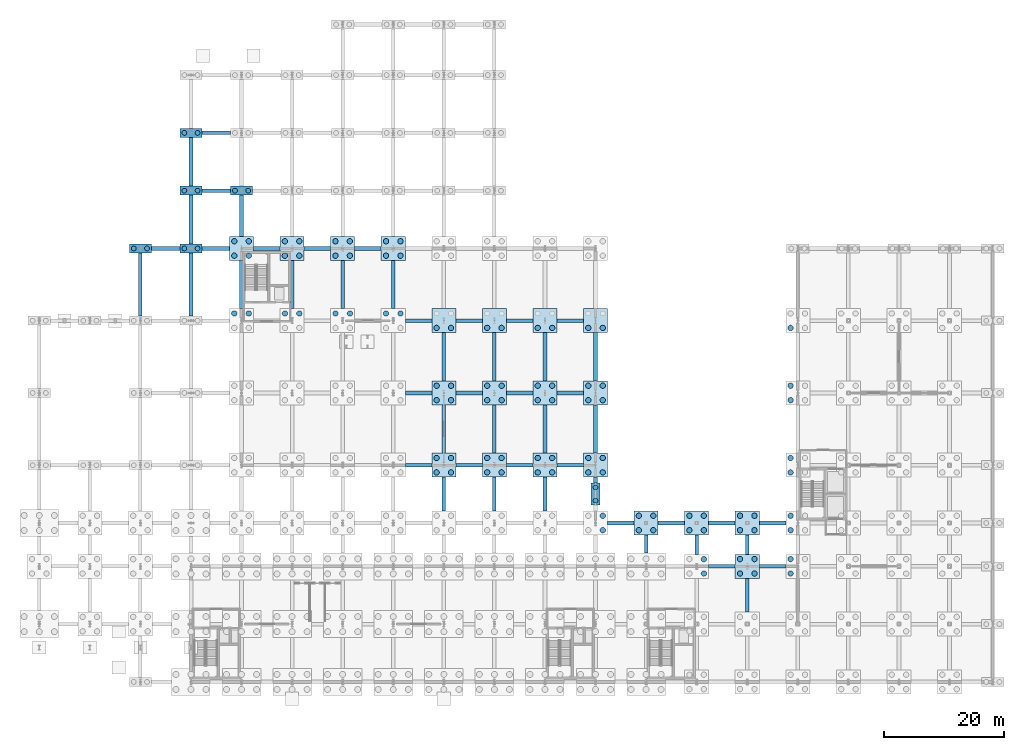
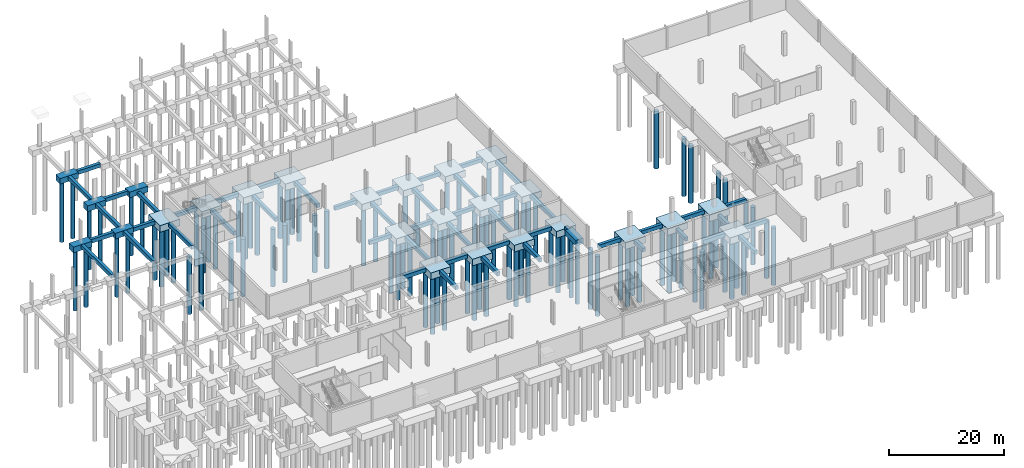
# One storey, part 4 of 29: 105 piles, 76 footings.
"""IFC4 building model written with IfcOpenShell, lengths in metres."""

from ifc_helpers import new_model, si_unit, direction, frame, origin, origin_2d, place, context, subcontext, project, spatial, rectangle, circle, extrude, material, material_profile, profile_set, type_object, element, save


model = new_model("IFC4")

# Units and contexts
model_context = context("Model", 3, precision=1e-05, world=origin(), true_north=direction((0.0, 1.0)))
body_context = subcontext(model_context, "Body", "Model", "MODEL_VIEW")
ifc_project = project(units=[si_unit("LENGTHUNIT", "METRE"), si_unit("AREAUNIT", "SQUARE_METRE"), si_unit("VOLUMEUNIT", "CUBIC_METRE"), si_unit("PLANEANGLEUNIT", "RADIAN"), si_unit("MASSUNIT", "GRAM", prefix="KILO")], contexts=[model_context])

# Site, building, storey
site_placement = place(None, origin())
site = spatial("IfcSite", under=ifc_project, at=site_placement, CompositionType="ELEMENT")
building_placement = place(site_placement, origin())
building = spatial("IfcBuilding", under=site, at=building_placement, Name="Veltarok Museum of Natural Sciences", CompositionType="ELEMENT")
storey_placement = place(building_placement, frame((0.0, 0.0, -4.800048828125)))
storey = spatial("IfcBuildingStorey", under=building, at=storey_placement, Name="B1", CompositionType="ELEMENT", Elevation=-4.800048828125)

# Piles
ifc_material = material(Name="Concrete C35/45", Category="concrete")
ifc_material_profile_1 = material_profile(ifc_material, circle(Radius=0.39990234375, at=origin_2d()), Name="BP D800")
ifc_profile_set_1 = profile_set([ifc_material_profile_1], Name="Concrete C35/45")
pile_type_1 = type_object("IfcPileType", Name="Bored Bedrock Pile D800", PredefinedType="BORED", material=ifc_profile_set_1)
for number, where, z_axis, x_axis, name in (
    (1, (22.10009765625, 72.0, -1.099853515625), (0.0, 0.0, -1.0), (1.0, 0.0, 0.0), "Bored Pile BP-800 59"),
    (2, (24.300048828125, 72.0, -1.099853515625), (0.0, 0.0, -1.0), (1.0, 0.0, 0.0), "Bored Pile BP-800 60"),
    (3, (30.5, 72.0, -1.099853515625), (0.0, 0.0, -1.0), (1.0, 0.0, 0.0), "Bored Pile BP-800 91"),
    (4, (32.699951171875, 72.0, -1.099853515625), (0.0, 0.0, -1.0), (1.0, 0.0, 0.0), "Bored Pile BP-800 92"),
    (5, (30.5, 81.60009765625, -1.099853515625), (0.0, 0.0, -1.0), (1.0, 0.0, 0.0), "Bored Pile BP-800 93"),
    (6, (32.699951171875, 81.60009765625, -1.099853515625), (0.0, 0.0, -1.0), (1.0, 0.0, 0.0), "Bored Pile BP-800 94"),
    (7, (30.5, 91.199951171875, -1.099853515625), (0.0, 0.0, -1.0), (1.0, 0.0, 0.0), "Bored Pile BP-800 95"),
    (8, (32.699951171875, 91.199951171875, -1.099853515625), (0.0, 0.0, -1.0), (1.0, 0.0, 0.0), "Bored Pile BP-800 96"),
    (9, (38.89990234375, 81.60009765625, -1.099853515625), (0.0, 0.0, -1.0), (1.0, 0.0, 0.0), "Bored Pile BP-800 137"),
    (10, (41.10009765625, 81.60009765625, -1.099853515625), (0.0, 0.0, -1.0), (1.0, 0.0, 0.0), "Bored Pile BP-800 138"),
    (11, (98.800048828125, 30.10009765625, -1.099853515625), (0.0, 0.0, -1.0), (1.0, 0.0, 0.0), "Bored Pile BP-800 637"),
    (12, (98.800048828125, 32.300048828125, -1.099853515625), (0.0, 0.0, -1.0), (1.0, 0.0, 0.0), "Bored Pile BP-800 638"),
):
    element("IfcPile", number, at=place(storey_placement, frame(where, z_axis=z_axis, x_axis=x_axis)), inside=storey, type_object=pile_type_1, Name=name, PredefinedType="BORED", context=body_context, shape_type="SweptSolid", body=[
        extrude(circle(Radius=0.39990234375, at=origin_2d()), origin(), (0.0, 0.0, 1.0), 12.89990234375),
    ])
ifc_material_profile_2 = material_profile(ifc_material, circle(Radius=0.449951171875, at=origin_2d()), Name="BP D900")
ifc_profile_set_2 = profile_set([ifc_material_profile_2], Name="Concrete C35/45")
pile_type_2 = type_object("IfcPileType", Name="Bored Bedrock Pile D900", PredefinedType="BORED", material=ifc_profile_set_2)
for number, where, z_axis, x_axis, name in (
    (13, (38.800048828125, 61.199951171875, -1.800048828125), (0.0, 0.0, -1.0), (1.0, 0.0, 0.0), "Bored Pile BP-900 131"),
    (14, (41.199951171875, 61.199951171875, -1.800048828125), (0.0, 0.0, -1.0), (1.0, 0.0, 0.0), "Bored Pile BP-900 132"),
    (15, (38.800048828125, 70.800048828125, -1.800048828125), (0.0, 0.0, -1.0), (1.0, 0.0, 0.0), "Bored Pile BP-900 133"),
    (16, (41.199951171875, 70.800048828125, -1.800048828125), (0.0, 0.0, -1.0), (1.0, 0.0, 0.0), "Bored Pile BP-900 134"),
    (17, (38.800048828125, 73.199951171875, -1.800048828125), (0.0, 0.0, -1.0), (1.0, 0.0, 0.0), "Bored Pile BP-900 135"),
    (18, (41.199951171875, 73.199951171875, -1.800048828125), (0.0, 0.0, -1.0), (1.0, 0.0, 0.0), "Bored Pile BP-900 136"),
    (19, (47.199951171875, 61.199951171875, -1.800048828125), (0.0, 0.0, -1.0), (1.0, 0.0, 0.0), "Bored Pile BP-900 175"),
    (20, (49.60009765625, 61.199951171875, -1.800048828125), (0.0, 0.0, -1.0), (1.0, 0.0, 0.0), "Bored Pile BP-900 176"),
    (21, (47.199951171875, 70.800048828125, -1.800048828125), (0.0, 0.0, -1.0), (1.0, 0.0, 0.0), "Bored Pile BP-900 177"),
    (22, (49.60009765625, 70.800048828125, -1.800048828125), (0.0, 0.0, -1.0), (1.0, 0.0, 0.0), "Bored Pile BP-900 178"),
    (23, (47.199951171875, 73.199951171875, -1.800048828125), (0.0, 0.0, -1.0), (1.0, 0.0, 0.0), "Bored Pile BP-900 179"),
    (24, (49.60009765625, 73.199951171875, -1.800048828125), (0.0, 0.0, -1.0), (1.0, 0.0, 0.0), "Bored Pile BP-900 180"),
    (25, (55.60009765625, 61.199951171875, -1.800048828125), (0.0, 0.0, -1.0), (1.0, 0.0, 0.0), "Bored Pile BP-900 219"),
    (26, (58.0, 61.199951171875, -1.800048828125), (0.0, 0.0, -1.0), (1.0, 0.0, 0.0), "Bored Pile BP-900 220"),
    (27, (55.60009765625, 70.800048828125, -1.800048828125), (0.0, 0.0, -1.0), (1.0, 0.0, 0.0), "Bored Pile BP-900 221"),
    (28, (58.0, 70.800048828125, -1.800048828125), (0.0, 0.0, -1.0), (1.0, 0.0, 0.0), "Bored Pile BP-900 222"),
    (29, (55.60009765625, 73.199951171875, -1.800048828125), (0.0, 0.0, -1.0), (1.0, 0.0, 0.0), "Bored Pile BP-900 223"),
    (30, (58.0, 73.199951171875, -1.800048828125), (0.0, 0.0, -1.0), (1.0, 0.0, 0.0), "Bored Pile BP-900 224"),
    (31, (64.0, 61.199951171875, -1.800048828125), (0.0, 0.0, -1.0), (1.0, 0.0, 0.0), "Bored Pile BP-900 265"),
    (32, (66.39990234375, 61.199951171875, -1.800048828125), (0.0, 0.0, -1.0), (1.0, 0.0, 0.0), "Bored Pile BP-900 266"),
    (33, (64.0, 70.800048828125, -1.800048828125), (0.0, 0.0, -1.0), (1.0, 0.0, 0.0), "Bored Pile BP-900 267"),
    (34, (66.39990234375, 70.800048828125, -1.800048828125), (0.0, 0.0, -1.0), (1.0, 0.0, 0.0), "Bored Pile BP-900 268"),
    (35, (64.0, 73.199951171875, -1.800048828125), (0.0, 0.0, -1.0), (1.0, 0.0, 0.0), "Bored Pile BP-900 269"),
    (36, (66.39990234375, 73.199951171875, -1.800048828125), (0.0, 0.0, -1.0), (1.0, 0.0, 0.0), "Bored Pile BP-900 270"),
    (37, (72.39990234375, 34.800048828125, -1.800048828125), (0.0, 0.0, -1.0), (1.0, 0.0, 0.0), "Bored Pile BP-900 301"),
    (38, (74.800048828125, 34.800048828125, -1.800048828125), (0.0, 0.0, -1.0), (1.0, 0.0, 0.0), "Bored Pile BP-900 302"),
    (39, (72.39990234375, 37.199951171875, -1.800048828125), (0.0, 0.0, -1.0), (1.0, 0.0, 0.0), "Bored Pile BP-900 303"),
    (40, (74.800048828125, 37.199951171875, -1.800048828125), (0.0, 0.0, -1.0), (1.0, 0.0, 0.0), "Bored Pile BP-900 304"),
    (41, (72.39990234375, 46.800048828125, -1.800048828125), (0.0, 0.0, -1.0), (1.0, 0.0, 0.0), "Bored Pile BP-900 305"),
    (42, (74.800048828125, 46.800048828125, -1.800048828125), (0.0, 0.0, -1.0), (1.0, 0.0, 0.0), "Bored Pile BP-900 306"),
    (43, (72.39990234375, 49.199951171875, -1.800048828125), (0.0, 0.0, -1.0), (1.0, 0.0, 0.0), "Bored Pile BP-900 307"),
    (44, (74.800048828125, 49.199951171875, -1.800048828125), (0.0, 0.0, -1.0), (1.0, 0.0, 0.0), "Bored Pile BP-900 308"),
    (45, (72.39990234375, 58.800048828125, -1.800048828125), (0.0, 0.0, -1.0), (1.0, 0.0, 0.0), "Bored Pile BP-900 309"),
    (46, (74.800048828125, 58.800048828125, -1.800048828125), (0.0, 0.0, -1.0), (1.0, 0.0, 0.0), "Bored Pile BP-900 310"),
    (47, (80.800048828125, 34.800048828125, -1.800048828125), (0.0, 0.0, -1.0), (1.0, 0.0, 0.0), "Bored Pile BP-900 347"),
    (48, (83.199951171875, 34.800048828125, -1.800048828125), (0.0, 0.0, -1.0), (1.0, 0.0, 0.0), "Bored Pile BP-900 348"),
    (49, (80.800048828125, 37.199951171875, -1.800048828125), (0.0, 0.0, -1.0), (1.0, 0.0, 0.0), "Bored Pile BP-900 349"),
    (50, (83.199951171875, 37.199951171875, -1.800048828125), (0.0, 0.0, -1.0), (1.0, 0.0, 0.0), "Bored Pile BP-900 350"),
    (51, (80.800048828125, 46.800048828125, -1.800048828125), (0.0, 0.0, -1.0), (1.0, 0.0, 0.0), "Bored Pile BP-900 351"),
    (52, (83.199951171875, 46.800048828125, -1.800048828125), (0.0, 0.0, -1.0), (1.0, 0.0, 0.0), "Bored Pile BP-900 352"),
    (53, (80.800048828125, 49.199951171875, -1.800048828125), (0.0, 0.0, -1.0), (1.0, 0.0, 0.0), "Bored Pile BP-900 353"),
    (54, (83.199951171875, 49.199951171875, -1.800048828125), (0.0, 0.0, -1.0), (1.0, 0.0, 0.0), "Bored Pile BP-900 354"),
    (55, (80.800048828125, 58.800048828125, -1.800048828125), (0.0, 0.0, -1.0), (1.0, 0.0, 0.0), "Bored Pile BP-900 355"),
    (56, (83.199951171875, 58.800048828125, -1.800048828125), (0.0, 0.0, -1.0), (1.0, 0.0, 0.0), "Bored Pile BP-900 356"),
    (57, (89.199951171875, 34.800048828125, -1.800048828125), (0.0, 0.0, -1.0), (1.0, 0.0, 0.0), "Bored Pile BP-900 393"),
    (58, (91.60009765625, 34.800048828125, -1.800048828125), (0.0, 0.0, -1.0), (1.0, 0.0, 0.0), "Bored Pile BP-900 394"),
    (59, (89.199951171875, 37.199951171875, -1.800048828125), (0.0, 0.0, -1.0), (1.0, 0.0, 0.0), "Bored Pile BP-900 395"),
    (60, (91.60009765625, 37.199951171875, -1.800048828125), (0.0, 0.0, -1.0), (1.0, 0.0, 0.0), "Bored Pile BP-900 396"),
    (61, (89.199951171875, 46.800048828125, -1.800048828125), (0.0, 0.0, -1.0), (1.0, 0.0, 0.0), "Bored Pile BP-900 397"),
    (62, (91.60009765625, 46.800048828125, -1.800048828125), (0.0, 0.0, -1.0), (1.0, 0.0, 0.0), "Bored Pile BP-900 398"),
    (63, (89.199951171875, 49.199951171875, -1.800048828125), (0.0, 0.0, -1.0), (1.0, 0.0, 0.0), "Bored Pile BP-900 399"),
    (64, (91.60009765625, 49.199951171875, -1.800048828125), (0.0, 0.0, -1.0), (1.0, 0.0, 0.0), "Bored Pile BP-900 400"),
    (65, (89.199951171875, 58.800048828125, -1.800048828125), (0.0, 0.0, -1.0), (1.0, 0.0, 0.0), "Bored Pile BP-900 401"),
    (66, (91.60009765625, 58.800048828125, -1.800048828125), (0.0, 0.0, -1.0), (1.0, 0.0, 0.0), "Bored Pile BP-900 402"),
):
    element("IfcPile", number, at=place(storey_placement, frame(where, z_axis=z_axis, x_axis=x_axis)), inside=storey, type_object=pile_type_2, Name=name, PredefinedType="BORED", context=body_context, shape_type="SweptSolid", body=[
        extrude(circle(Radius=0.449951171875, at=origin_2d()), origin(), (0.0, 0.0, 1.0), 12.199951171875),
    ])
for number, where, z_axis, x_axis, name in (
    (67, (100.0, 25.199951171875, -1.300048828125), (0.0, 0.0, -1.0), (1.0, 0.0, 0.0), "Bored Pile BP-900 428"),
    (68, (100.0, 27.60009765625, -1.300048828125), (0.0, 0.0, -1.0), (1.0, 0.0, 0.0), "Bored Pile BP-900 430"),
):
    element("IfcPile", number, at=place(storey_placement, frame(where, z_axis=z_axis, x_axis=x_axis)), inside=storey, type_object=pile_type_2, Name=name, PredefinedType="BORED", context=body_context, shape_type="SweptSolid", body=[
        extrude(circle(Radius=0.449951171875, at=origin_2d()), origin(), (0.0, 0.0, 1.0), 12.699951171875),
    ])
for number, where, z_axis, x_axis, name in (
    (69, (97.60009765625, 34.800048828125, -1.800048828125), (0.0, 0.0, -1.0), (1.0, 0.0, 0.0), "Bored Pile BP-900 431"),
    (70, (100.0, 34.800048828125, -1.800048828125), (0.0, 0.0, -1.0), (1.0, 0.0, 0.0), "Bored Pile BP-900 432"),
    (71, (97.60009765625, 37.199951171875, -1.800048828125), (0.0, 0.0, -1.0), (1.0, 0.0, 0.0), "Bored Pile BP-900 433"),
    (72, (100.0, 37.199951171875, -1.800048828125), (0.0, 0.0, -1.0), (1.0, 0.0, 0.0), "Bored Pile BP-900 434"),
    (73, (97.60009765625, 46.800048828125, -1.800048828125), (0.0, 0.0, -1.0), (1.0, 0.0, 0.0), "Bored Pile BP-900 435"),
    (74, (100.0, 46.800048828125, -1.800048828125), (0.0, 0.0, -1.0), (1.0, 0.0, 0.0), "Bored Pile BP-900 436"),
    (75, (97.60009765625, 49.199951171875, -1.800048828125), (0.0, 0.0, -1.0), (1.0, 0.0, 0.0), "Bored Pile BP-900 437"),
    (76, (100.0, 49.199951171875, -1.800048828125), (0.0, 0.0, -1.0), (1.0, 0.0, 0.0), "Bored Pile BP-900 438"),
    (77, (97.60009765625, 58.800048828125, -1.800048828125), (0.0, 0.0, -1.0), (1.0, 0.0, 0.0), "Bored Pile BP-900 439"),
    (78, (100.0, 58.800048828125, -1.800048828125), (0.0, 0.0, -1.0), (1.0, 0.0, 0.0), "Bored Pile BP-900 440"),
):
    element("IfcPile", number, at=place(storey_placement, frame(where, z_axis=z_axis, x_axis=x_axis)), inside=storey, type_object=pile_type_2, Name=name, PredefinedType="BORED", context=body_context, shape_type="SweptSolid", body=[
        extrude(circle(Radius=0.449951171875, at=origin_2d()), origin(), (0.0, 0.0, 1.0), 12.199951171875),
    ])
for number, where, z_axis, x_axis, name in (
    (79, (106.0, 25.199951171875, -1.300048828125), (0.0, 0.0, -1.0), (1.0, 0.0, 0.0), "Bored Pile BP-900 465"),
    (80, (108.39990234375, 25.199951171875, -1.300048828125), (0.0, 0.0, -1.0), (1.0, 0.0, 0.0), "Bored Pile BP-900 466"),
    (81, (106.0, 27.60009765625, -1.300048828125), (0.0, 0.0, -1.0), (1.0, 0.0, 0.0), "Bored Pile BP-900 467"),
    (82, (108.39990234375, 27.60009765625, -1.300048828125), (0.0, 0.0, -1.0), (1.0, 0.0, 0.0), "Bored Pile BP-900 468"),
):
    element("IfcPile", number, at=place(storey_placement, frame(where, z_axis=z_axis, x_axis=x_axis)), inside=storey, type_object=pile_type_2, Name=name, PredefinedType="BORED", context=body_context, shape_type="SweptSolid", body=[
        extrude(circle(Radius=0.449951171875, at=origin_2d()), origin(), (0.0, 0.0, 1.0), 12.699951171875),
    ])
for number, where, z_axis, x_axis, name in (
    (83, (116.800048828125, 18.0, -1.800048828125), (0.0, 0.0, -1.0), (1.0, 0.0, 0.0), "Bored Pile BP-900 478"),
    (84, (116.800048828125, 20.39990234375, -1.800048828125), (0.0, 0.0, -1.0), (1.0, 0.0, 0.0), "Bored Pile BP-900 480"),
):
    element("IfcPile", number, at=place(storey_placement, frame(where, z_axis=z_axis, x_axis=x_axis)), inside=storey, type_object=pile_type_2, Name=name, PredefinedType="BORED", context=body_context, shape_type="SweptSolid", body=[
        extrude(circle(Radius=0.449951171875, at=origin_2d()), origin(), (0.0, 0.0, 1.0), 12.199951171875),
    ])
for number, where, z_axis, x_axis, name in (
    (85, (114.39990234375, 25.199951171875, -1.300048828125), (0.0, 0.0, -1.0), (1.0, 0.0, 0.0), "Bored Pile BP-900 481"),
    (86, (116.800048828125, 25.199951171875, -1.300048828125), (0.0, 0.0, -1.0), (1.0, 0.0, 0.0), "Bored Pile BP-900 482"),
    (87, (114.39990234375, 27.60009765625, -1.300048828125), (0.0, 0.0, -1.0), (1.0, 0.0, 0.0), "Bored Pile BP-900 483"),
    (88, (116.800048828125, 27.60009765625, -1.300048828125), (0.0, 0.0, -1.0), (1.0, 0.0, 0.0), "Bored Pile BP-900 484"),
):
    element("IfcPile", number, at=place(storey_placement, frame(where, z_axis=z_axis, x_axis=x_axis)), inside=storey, type_object=pile_type_2, Name=name, PredefinedType="BORED", context=body_context, shape_type="SweptSolid", body=[
        extrude(circle(Radius=0.449951171875, at=origin_2d()), origin(), (0.0, 0.0, 1.0), 12.699951171875),
    ])
for number, where, z_axis, x_axis, name in (
    (89, (122.800048828125, 18.0, -1.800048828125), (0.0, 0.0, -1.0), (1.0, 0.0, 0.0), "Bored Pile BP-900 493"),
    (90, (125.199951171875, 18.0, -1.800048828125), (0.0, 0.0, -1.0), (1.0, 0.0, 0.0), "Bored Pile BP-900 494"),
    (91, (122.800048828125, 20.39990234375, -1.800048828125), (0.0, 0.0, -1.0), (1.0, 0.0, 0.0), "Bored Pile BP-900 495"),
    (92, (125.199951171875, 20.39990234375, -1.800048828125), (0.0, 0.0, -1.0), (1.0, 0.0, 0.0), "Bored Pile BP-900 496"),
):
    element("IfcPile", number, at=place(storey_placement, frame(where, z_axis=z_axis, x_axis=x_axis)), inside=storey, type_object=pile_type_2, Name=name, PredefinedType="BORED", context=body_context, shape_type="SweptSolid", body=[
        extrude(circle(Radius=0.449951171875, at=origin_2d()), origin(), (0.0, 0.0, 1.0), 12.199951171875),
    ])
for number, where, z_axis, x_axis, name in (
    (93, (122.800048828125, 25.199951171875, -1.300048828125), (0.0, 0.0, -1.0), (1.0, 0.0, 0.0), "Bored Pile BP-900 497"),
    (94, (125.199951171875, 25.199951171875, -1.300048828125), (0.0, 0.0, -1.0), (1.0, 0.0, 0.0), "Bored Pile BP-900 498"),
    (95, (122.800048828125, 27.60009765625, -1.300048828125), (0.0, 0.0, -1.0), (1.0, 0.0, 0.0), "Bored Pile BP-900 499"),
    (96, (125.199951171875, 27.60009765625, -1.300048828125), (0.0, 0.0, -1.0), (1.0, 0.0, 0.0), "Bored Pile BP-900 500"),
):
    element("IfcPile", number, at=place(storey_placement, frame(where, z_axis=z_axis, x_axis=x_axis)), inside=storey, type_object=pile_type_2, Name=name, PredefinedType="BORED", context=body_context, shape_type="SweptSolid", body=[
        extrude(circle(Radius=0.449951171875, at=origin_2d()), origin(), (0.0, 0.0, 1.0), 12.699951171875),
    ])
for number, where, z_axis, x_axis, name in (
    (97, (131.199951171875, 18.0, -1.800048828125), (0.0, 0.0, -1.0), (1.0, 0.0, 0.0), "Bored Pile BP-900 509"),
    (98, (131.199951171875, 20.39990234375, -1.800048828125), (0.0, 0.0, -1.0), (1.0, 0.0, 0.0), "Bored Pile BP-900 511"),
    (99, (131.199951171875, 25.199951171875, -1.800048828125), (0.0, 0.0, -1.0), (1.0, 0.0, 0.0), "Bored Pile BP-900 513"),
    (100, (131.199951171875, 27.60009765625, -1.800048828125), (0.0, 0.0, -1.0), (1.0, 0.0, 0.0), "Bored Pile BP-900 515"),
    (101, (131.199951171875, 34.800048828125, -1.800048828125), (0.0, 0.0, -1.0), (1.0, 0.0, 0.0), "Bored Pile BP-900 517"),
    (102, (131.199951171875, 37.199951171875, -1.800048828125), (0.0, 0.0, -1.0), (1.0, 0.0, 0.0), "Bored Pile BP-900 519"),
    (103, (131.199951171875, 46.800048828125, -1.800048828125), (0.0, 0.0, -1.0), (1.0, 0.0, 0.0), "Bored Pile BP-900 521"),
    (104, (131.199951171875, 49.199951171875, -1.800048828125), (0.0, 0.0, -1.0), (1.0, 0.0, 0.0), "Bored Pile BP-900 523"),
    (105, (131.199951171875, 58.800048828125, -1.800048828125), (0.0, 0.0, -1.0), (1.0, 0.0, 0.0), "Bored Pile BP-900 525"),
):
    element("IfcPile", number, at=place(storey_placement, frame(where, z_axis=z_axis, x_axis=x_axis)), inside=storey, type_object=pile_type_2, Name=name, PredefinedType="BORED", context=body_context, shape_type="SweptSolid", body=[
        extrude(circle(Radius=0.449951171875, at=origin_2d()), origin(), (0.0, 0.0, 1.0), 12.199951171875),
    ])

# Footings
footing_type_1 = type_object("IfcFootingType", Name="Four-Pile Cap 4000x4000x1400", PredefinedType="PILE_CAP", material=ifc_material)
for number, where, z_axis, x_axis, name in (
    (106, (40.0, 72.0, -1.89990234375), (0.0, 0.0, 1.0), (1.0, 0.0, 0.0), "Pile Cap PC-4P 5/H"),
    (107, (48.39990234375, 72.0, -1.89990234375), (0.0, 0.0, 1.0), (1.0, 0.0, 0.0), "Pile Cap PC-4P 6/H"),
    (108, (56.800048828125, 72.0, -1.89990234375), (0.0, 0.0, 1.0), (1.0, 0.0, 0.0), "Pile Cap PC-4P 7/H"),
    (109, (65.199951171875, 72.0, -1.89990234375), (0.0, 0.0, 1.0), (1.0, 0.0, 0.0), "Pile Cap PC-4P 8/H"),
    (110, (73.60009765625, 36.0, -1.89990234375), (0.0, 0.0, 1.0), (1.0, 0.0, 0.0), "Pile Cap PC-4P 9/E"),
    (111, (73.60009765625, 48.0, -1.89990234375), (0.0, 0.0, 1.0), (1.0, 0.0, 0.0), "Pile Cap PC-4P 9/F"),
    (112, (73.60009765625, 60.0, -1.89990234375), (0.0, 0.0, 1.0), (1.0, 0.0, 0.0), "Pile Cap PC-4P 9/G"),
    (113, (82.0, 36.0, -1.89990234375), (0.0, 0.0, 1.0), (1.0, 0.0, 0.0), "Pile Cap PC-4P 10/E"),
    (114, (82.0, 48.0, -1.89990234375), (0.0, 0.0, 1.0), (1.0, 0.0, 0.0), "Pile Cap PC-4P 10/F"),
    (115, (82.0, 60.0, -1.89990234375), (0.0, 0.0, 1.0), (1.0, 0.0, 0.0), "Pile Cap PC-4P 10/G"),
    (116, (90.39990234375, 36.0, -1.89990234375), (0.0, 0.0, 1.0), (1.0, 0.0, 0.0), "Pile Cap PC-4P 11/E"),
    (117, (90.39990234375, 48.0, -1.89990234375), (0.0, 0.0, 1.0), (1.0, 0.0, 0.0), "Pile Cap PC-4P 11/F"),
    (118, (90.39990234375, 60.0, -1.89990234375), (0.0, 0.0, 1.0), (1.0, 0.0, 0.0), "Pile Cap PC-4P 11/G"),
    (119, (98.800048828125, 36.0, -1.89990234375), (0.0, 0.0, 1.0), (1.0, 0.0, 0.0), "Pile Cap PC-4P 12/E"),
    (120, (98.800048828125, 48.0, -1.89990234375), (0.0, 0.0, 1.0), (1.0, 0.0, 0.0), "Pile Cap PC-4P 12/F"),
    (121, (98.800048828125, 60.0, -1.89990234375), (0.0, 0.0, 1.0), (1.0, 0.0, 0.0), "Pile Cap PC-4P 12/G"),
    (122, (107.199951171875, 26.39990234375, -1.39990234375), (0.0, 0.0, 1.0), (1.0, 0.0, 0.0), "Pile Cap PC-4P 13/D"),
    (123, (115.60009765625, 26.39990234375, -1.39990234375), (0.0, 0.0, 1.0), (1.0, 0.0, 0.0), "Pile Cap PC-4P 14/D"),
    (124, (124.0, 19.199951171875, -1.89990234375), (0.0, 0.0, 1.0), (1.0, 0.0, 0.0), "Pile Cap PC-4P 15/C"),
    (125, (124.0, 26.39990234375, -1.39990234375), (0.0, 0.0, 1.0), (1.0, 0.0, 0.0), "Pile Cap PC-4P 15/D"),
):
    element("IfcFooting", number, at=place(storey_placement, frame(where, z_axis=z_axis, x_axis=x_axis)), inside=storey, type_object=footing_type_1, Name=name, PredefinedType="PILE_CAP", context=body_context, shape_type="SweptSolid", body=[
        extrude(rectangle(XDim=4.0, YDim=4.0, at=origin_2d()), origin(), (0.0, 0.0, 1.0), 1.39990234375),
    ])
footing_type_2 = type_object("IfcFootingType", Name="Ground Tie Beam 600x800 L10500", PredefinedType="FOOTING_BEAM", material=ifc_material)
for number, where, z_axis, x_axis, name in (
    (126, (23.199951171875, 66.0, -0.7998046875), (0.0, 0.0, 1.0), (0.0, 1.0, 0.0), "Ground Tie Beam GB-10500 3/G-H"),
    (127, (31.60009765625, 66.0, -0.7998046875), (0.0, 0.0, 1.0), (0.0, 1.0, 0.0), "Ground Tie Beam GB-10500 4/G-H"),
):
    element("IfcFooting", number, at=place(storey_placement, frame(where, z_axis=z_axis, x_axis=x_axis)), inside=storey, type_object=footing_type_2, Name=name, PredefinedType="FOOTING_BEAM", context=body_context, shape_type="SweptSolid", body=[
        extrude(rectangle(XDim=10.5, YDim=0.60009765625, at=origin_2d()), origin(), (0.0, 0.0, 1.0), 0.800048828125),
    ])
footing_type_3 = type_object("IfcFootingType", Name="Ground Tie Beam 600x800 L2950", PredefinedType="FOOTING_BEAM", material=ifc_material)
footing_1_placement = place(storey_placement, frame((107.199951171875, 22.925048828125, -0.7998046875), z_axis=(0.0, 0.0, 1.0), x_axis=(0.0, 1.0, 0.0)))
element("IfcFooting", 128, at=footing_1_placement, inside=storey, type_object=footing_type_3, Name="Ground Tie Beam GB-2950 13/C-D", PredefinedType="FOOTING_BEAM", context=body_context, shape_type="SweptSolid", body=[
    extrude(rectangle(XDim=2.949951171875, YDim=0.60009765625, at=origin_2d()), origin(), (0.0, 0.0, 1.0), 0.800048828125),
])
footing_type_4 = type_object("IfcFootingType", Name="Ground Tie Beam 600x800 L3200", PredefinedType="FOOTING_BEAM", material=ifc_material)
for number, where, z_axis, x_axis, name in (
    (129, (115.60009765625, 22.800048828125, -1.2998046875), (0.0, 0.0, 1.0), (0.0, 1.0, 0.0), "Ground Tie Beam GB-3200 14/C-D"),
    (130, (124.0, 22.800048828125, -1.2998046875), (0.0, 0.0, 1.0), (0.0, 1.0, 0.0), "Ground Tie Beam GB-3200 15/C-D"),
):
    element("IfcFooting", number, at=place(storey_placement, frame(where, z_axis=z_axis, x_axis=x_axis)), inside=storey, type_object=footing_type_4, Name=name, PredefinedType="FOOTING_BEAM", context=body_context, shape_type="SweptSolid", body=[
        extrude(rectangle(XDim=3.199951171875, YDim=0.60009765625, at=origin_2d()), origin(), (0.0, 0.0, 1.0), 0.800048828125),
    ])
footing_type_5 = type_object("IfcFootingType", Name="Ground Tie Beam 600x800 L4400", PredefinedType="FOOTING_BEAM", material=ifc_material)
for number, where, z_axis, x_axis, name in (
    (131, (119.800048828125, 19.199951171875, -1.2998046875), (0.0, 0.0, 1.0), (1.0, 0.0, 0.0), "Ground Tie Beam GB-4400 14-15/C"),
    (132, (128.199951171875, 19.199951171875, -1.2998046875), (0.0, 0.0, 1.0), (1.0, 0.0, 0.0), "Ground Tie Beam GB-4400 15-16/C"),
    (133, (103.0, 26.39990234375, -0.7998046875), (0.0, 0.0, 1.0), (1.0, 0.0, 0.0), "Ground Tie Beam GB-4400 12-13/D"),
    (134, (111.39990234375, 26.39990234375, -0.7998046875), (0.0, 0.0, 1.0), (1.0, 0.0, 0.0), "Ground Tie Beam GB-4400 13-14/D"),
    (135, (119.800048828125, 26.39990234375, -0.7998046875), (0.0, 0.0, 1.0), (1.0, 0.0, 0.0), "Ground Tie Beam GB-4400 14-15/D"),
    (136, (128.199951171875, 26.39990234375, -1.2998046875), (0.0, 0.0, 1.0), (1.0, 0.0, 0.0), "Ground Tie Beam GB-4400 15-16/D"),
    (137, (69.39990234375, 36.0, -1.2998046875), (0.0, 0.0, 1.0), (1.0, 0.0, 0.0), "Ground Tie Beam GB-4400 8-9/E"),
    (138, (77.800048828125, 36.0, -1.2998046875), (0.0, 0.0, 1.0), (1.0, 0.0, 0.0), "Ground Tie Beam GB-4400 9-10/E"),
    (139, (86.199951171875, 36.0, -1.2998046875), (0.0, 0.0, 1.0), (1.0, 0.0, 0.0), "Ground Tie Beam GB-4400 10-11/E"),
    (140, (94.60009765625, 36.0, -1.2998046875), (0.0, 0.0, 1.0), (1.0, 0.0, 0.0), "Ground Tie Beam GB-4400 11-12/E"),
    (141, (69.39990234375, 48.0, -1.2998046875), (0.0, 0.0, 1.0), (1.0, 0.0, 0.0), "Ground Tie Beam GB-4400 8-9/F"),
    (142, (77.800048828125, 48.0, -1.2998046875), (0.0, 0.0, 1.0), (1.0, 0.0, 0.0), "Ground Tie Beam GB-4400 9-10/F"),
    (143, (86.199951171875, 48.0, -1.2998046875), (0.0, 0.0, 1.0), (1.0, 0.0, 0.0), "Ground Tie Beam GB-4400 10-11/F"),
    (144, (94.60009765625, 48.0, -1.2998046875), (0.0, 0.0, 1.0), (1.0, 0.0, 0.0), "Ground Tie Beam GB-4400 11-12/F"),
    (145, (69.39990234375, 60.0, -1.2998046875), (0.0, 0.0, 1.0), (1.0, 0.0, 0.0), "Ground Tie Beam GB-4400 8-9/G"),
    (146, (77.800048828125, 60.0, -1.2998046875), (0.0, 0.0, 1.0), (1.0, 0.0, 0.0), "Ground Tie Beam GB-4400 9-10/G"),
    (147, (86.199951171875, 60.0, -1.2998046875), (0.0, 0.0, 1.0), (1.0, 0.0, 0.0), "Ground Tie Beam GB-4400 10-11/G"),
    (148, (94.60009765625, 60.0, -1.2998046875), (0.0, 0.0, 1.0), (1.0, 0.0, 0.0), "Ground Tie Beam GB-4400 11-12/G"),
    (149, (44.199951171875, 72.0, -1.2998046875), (0.0, 0.0, 1.0), (1.0, 0.0, 0.0), "Ground Tie Beam GB-4400 5-6/H"),
    (150, (52.60009765625, 72.0, -1.2998046875), (0.0, 0.0, 1.0), (1.0, 0.0, 0.0), "Ground Tie Beam GB-4400 6-7/H"),
    (151, (61.0, 72.0, -1.2998046875), (0.0, 0.0, 1.0), (1.0, 0.0, 0.0), "Ground Tie Beam GB-4400 7-8/H"),
):
    element("IfcFooting", number, at=place(storey_placement, frame(where, z_axis=z_axis, x_axis=x_axis)), inside=storey, type_object=footing_type_5, Name=name, PredefinedType="FOOTING_BEAM", context=body_context, shape_type="SweptSolid", body=[
        extrude(rectangle(XDim=4.39990234375, YDim=0.60009765625, at=origin_2d()), origin(), (0.0, 0.0, 1.0), 0.800048828125),
    ])
footing_type_6 = type_object("IfcFootingType", Name="Ground Tie Beam 600x800 L4550", PredefinedType="FOOTING_BEAM", material=ifc_material)
footing_2_placement = place(storey_placement, frame((35.72509765625, 72.0, -1.2998046875), z_axis=(0.0, 0.0, 1.0), x_axis=(1.0, 0.0, 0.0)))
element("IfcFooting", 152, at=footing_2_placement, inside=storey, type_object=footing_type_6, Name="Ground Tie Beam GB-4550 4-5/H", PredefinedType="FOOTING_BEAM", context=body_context, shape_type="SweptSolid", body=[
    extrude(rectangle(XDim=4.550048828125, YDim=0.60009765625, at=origin_2d()), origin(), (0.0, 0.0, 1.0), 0.800048828125),
])
footing_type_7 = type_object("IfcFootingType", Name="Ground Tie Beam 600x800 L4700", PredefinedType="FOOTING_BEAM", material=ifc_material)
for number, where, z_axis, x_axis, name in (
    (153, (27.39990234375, 72.0, -0.7998046875), (0.0, 0.0, 1.0), (1.0, 0.0, 0.0), "Ground Tie Beam GB-4700 3-4/H"),
    (154, (35.800048828125, 81.60009765625, -0.7998046875), (0.0, 0.0, 1.0), (1.0, 0.0, 0.0), "Ground Tie Beam GB-4700 4-5/J"),
    (155, (35.800048828125, 91.199951171875, -0.7998046875), (0.0, 0.0, 1.0), (1.0, 0.0, 0.0), "Ground Tie Beam GB-4700 4-5/K"),
):
    element("IfcFooting", number, at=place(storey_placement, frame(where, z_axis=z_axis, x_axis=x_axis)), inside=storey, type_object=footing_type_7, Name=name, PredefinedType="FOOTING_BEAM", context=body_context, shape_type="SweptSolid", body=[
        extrude(rectangle(XDim=4.699951171875, YDim=0.60009765625, at=origin_2d()), origin(), (0.0, 0.0, 1.0), 0.800048828125),
    ])
footing_type_8 = type_object("IfcFootingType", Name="Ground Tie Beam 600x800 L5600", PredefinedType="FOOTING_BEAM", material=ifc_material)
for number, where, z_axis, x_axis, name in (
    (156, (73.60009765625, 31.199951171875, -1.2998046875), (0.0, 0.0, 1.0), (0.0, 1.0, 0.0), "Ground Tie Beam GB-5600 9/D-E"),
    (157, (82.0, 31.199951171875, -1.2998046875), (0.0, 0.0, 1.0), (0.0, 1.0, 0.0), "Ground Tie Beam GB-5600 10/D-E"),
    (158, (90.39990234375, 31.199951171875, -1.2998046875), (0.0, 0.0, 1.0), (0.0, 1.0, 0.0), "Ground Tie Beam GB-5600 11/D-E"),
    (159, (124.0, 14.39990234375, -1.2998046875), (0.0, 0.0, 1.0), (0.0, 1.0, 0.0), "Ground Tie Beam GB-5600 15/B-C"),
):
    element("IfcFooting", number, at=place(storey_placement, frame(where, z_axis=z_axis, x_axis=x_axis)), inside=storey, type_object=footing_type_8, Name=name, PredefinedType="FOOTING_BEAM", context=body_context, shape_type="SweptSolid", body=[
        extrude(rectangle(XDim=5.60009765625, YDim=0.60009765625, at=origin_2d()), origin(), (0.0, 0.0, 1.0), 0.800048828125),
    ])
footing_type_9 = type_object("IfcFootingType", Name="Ground Tie Beam 600x800 L6850", PredefinedType="FOOTING_BEAM", material=ifc_material)
footing_3_placement = place(storey_placement, frame((40.0, 77.425048828125, -1.2998046875), z_axis=(0.0, 0.0, 1.0), x_axis=(0.0, 1.0, 0.0)))
element("IfcFooting", 160, at=footing_3_placement, inside=storey, type_object=footing_type_9, Name="Ground Tie Beam GB-6850 5/H-J", PredefinedType="FOOTING_BEAM", context=body_context, shape_type="SweptSolid", body=[
    extrude(rectangle(XDim=6.85009765625, YDim=0.60009765625, at=origin_2d()), origin(), (0.0, 0.0, 1.0), 0.800048828125),
])
footing_type_10 = type_object("IfcFootingType", Name="Ground Tie Beam 600x800 L8000", PredefinedType="FOOTING_BEAM", material=ifc_material)
for number, where, z_axis, x_axis, name in (
    (161, (40.0, 66.0, -1.2998046875), (0.0, 0.0, 1.0), (0.0, 1.0, 0.0), "Ground Tie Beam GB-8000 5/G-H"),
    (162, (48.39990234375, 66.0, -1.2998046875), (0.0, 0.0, 1.0), (0.0, 1.0, 0.0), "Ground Tie Beam GB-8000 6/G-H"),
    (163, (56.800048828125, 66.0, -1.2998046875), (0.0, 0.0, 1.0), (0.0, 1.0, 0.0), "Ground Tie Beam GB-8000 7/G-H"),
    (164, (65.199951171875, 66.0, -1.2998046875), (0.0, 0.0, 1.0), (0.0, 1.0, 0.0), "Ground Tie Beam GB-8000 8/G-H"),
    (165, (73.60009765625, 42.0, -1.2998046875), (0.0, 0.0, 1.0), (0.0, 1.0, 0.0), "Ground Tie Beam GB-8000 9/E-F"),
    (166, (73.60009765625, 54.0, -1.2998046875), (0.0, 0.0, 1.0), (0.0, 1.0, 0.0), "Ground Tie Beam GB-8000 9/F-G"),
    (167, (82.0, 42.0, -1.2998046875), (0.0, 0.0, 1.0), (0.0, 1.0, 0.0), "Ground Tie Beam GB-8000 10/E-F"),
    (168, (82.0, 54.0, -1.2998046875), (0.0, 0.0, 1.0), (0.0, 1.0, 0.0), "Ground Tie Beam GB-8000 10/F-G"),
    (169, (90.39990234375, 42.0, -1.2998046875), (0.0, 0.0, 1.0), (0.0, 1.0, 0.0), "Ground Tie Beam GB-8000 11/E-F"),
    (170, (90.39990234375, 54.0, -1.2998046875), (0.0, 0.0, 1.0), (0.0, 1.0, 0.0), "Ground Tie Beam GB-8000 11/F-G"),
    (171, (98.800048828125, 42.0, -1.2998046875), (0.0, 0.0, 1.0), (0.0, 1.0, 0.0), "Ground Tie Beam GB-8000 12/E-F"),
    (172, (98.800048828125, 54.0, -1.2998046875), (0.0, 0.0, 1.0), (0.0, 1.0, 0.0), "Ground Tie Beam GB-8000 12/F-G"),
):
    element("IfcFooting", number, at=place(storey_placement, frame(where, z_axis=z_axis, x_axis=x_axis)), inside=storey, type_object=footing_type_10, Name=name, PredefinedType="FOOTING_BEAM", context=body_context, shape_type="SweptSolid", body=[
        extrude(rectangle(XDim=8.0, YDim=0.60009765625, at=origin_2d()), origin(), (0.0, 0.0, 1.0), 0.800048828125),
    ])
footing_type_11 = type_object("IfcFootingType", Name="Ground Tie Beam 600x800 L8100", PredefinedType="FOOTING_BEAM", material=ifc_material)
for number, where, z_axis, x_axis, name in (
    (173, (31.60009765625, 76.800048828125, -0.7998046875), (0.0, 0.0, 1.0), (0.0, 1.0, 0.0), "Ground Tie Beam GB-8100 4/H-J"),
    (174, (31.60009765625, 86.39990234375, -0.7998046875), (0.0, 0.0, 1.0), (0.0, 1.0, 0.0), "Ground Tie Beam GB-8100 4/J-K"),
):
    element("IfcFooting", number, at=place(storey_placement, frame(where, z_axis=z_axis, x_axis=x_axis)), inside=storey, type_object=footing_type_11, Name=name, PredefinedType="FOOTING_BEAM", context=body_context, shape_type="SweptSolid", body=[
        extrude(rectangle(XDim=8.10009765625, YDim=0.60009765625, at=origin_2d()), origin(), (0.0, 0.0, 1.0), 0.800048828125),
    ])
footing_type_12 = type_object("IfcFootingType", Name="Ground Tie Beam 600x800 L950", PredefinedType="FOOTING_BEAM", material=ifc_material)
footing_4_placement = place(storey_placement, frame((98.800048828125, 33.52490234375, -0.7998046875), z_axis=(0.0, 0.0, 1.0), x_axis=(0.0, 1.0, 0.0)))
element("IfcFooting", 175, at=footing_4_placement, inside=storey, type_object=footing_type_12, Name="Ground Tie Beam GB-950 12/D-E-N", PredefinedType="FOOTING_BEAM", context=body_context, shape_type="SweptSolid", body=[
    extrude(rectangle(XDim=0.949951171875, YDim=0.60009765625, at=origin_2d()), origin(), (0.0, 0.0, 1.0), 0.800048828125),
])
footing_type_13 = type_object("IfcFootingType", Name="Two-Pile Cap 3700x1500x1200", PredefinedType="PILE_CAP", material=ifc_material)
for number, where, z_axis, x_axis, name in (
    (176, (23.199951171875, 72.0, -1.19970703125), (0.0, 0.0, 1.0), (1.0, 0.0, 0.0), "Pile Cap PC-2P 3/H"),
    (177, (31.60009765625, 72.0, -1.19970703125), (0.0, 0.0, 1.0), (1.0, 0.0, 0.0), "Pile Cap PC-2P 4/H"),
    (178, (31.60009765625, 81.60009765625, -1.19970703125), (0.0, 0.0, 1.0), (1.0, 0.0, 0.0), "Pile Cap PC-2P 4/J"),
    (179, (31.60009765625, 91.199951171875, -1.19970703125), (0.0, 0.0, 1.0), (1.0, 0.0, 0.0), "Pile Cap PC-2P 4/K"),
    (180, (40.0, 81.60009765625, -1.19970703125), (0.0, 0.0, 1.0), (1.0, 0.0, 0.0), "Pile Cap PC-2P 5/J"),
    (181, (98.800048828125, 31.199951171875, -1.19970703125), (0.0, 0.0, 1.0), (0.0, 1.0, 0.0), "Pile Cap PC-2P 12/D-E-SW1"),
):
    element("IfcFooting", number, at=place(storey_placement, frame(where, z_axis=z_axis, x_axis=x_axis)), inside=storey, type_object=footing_type_13, Name=name, PredefinedType="PILE_CAP", context=body_context, shape_type="SweptSolid", body=[
        extrude(rectangle(XDim=3.699951171875, YDim=1.5, at=origin_2d()), origin(), (0.0, 0.0, 1.0), 1.199951171875),
    ])

save(model, "model.ifc")
